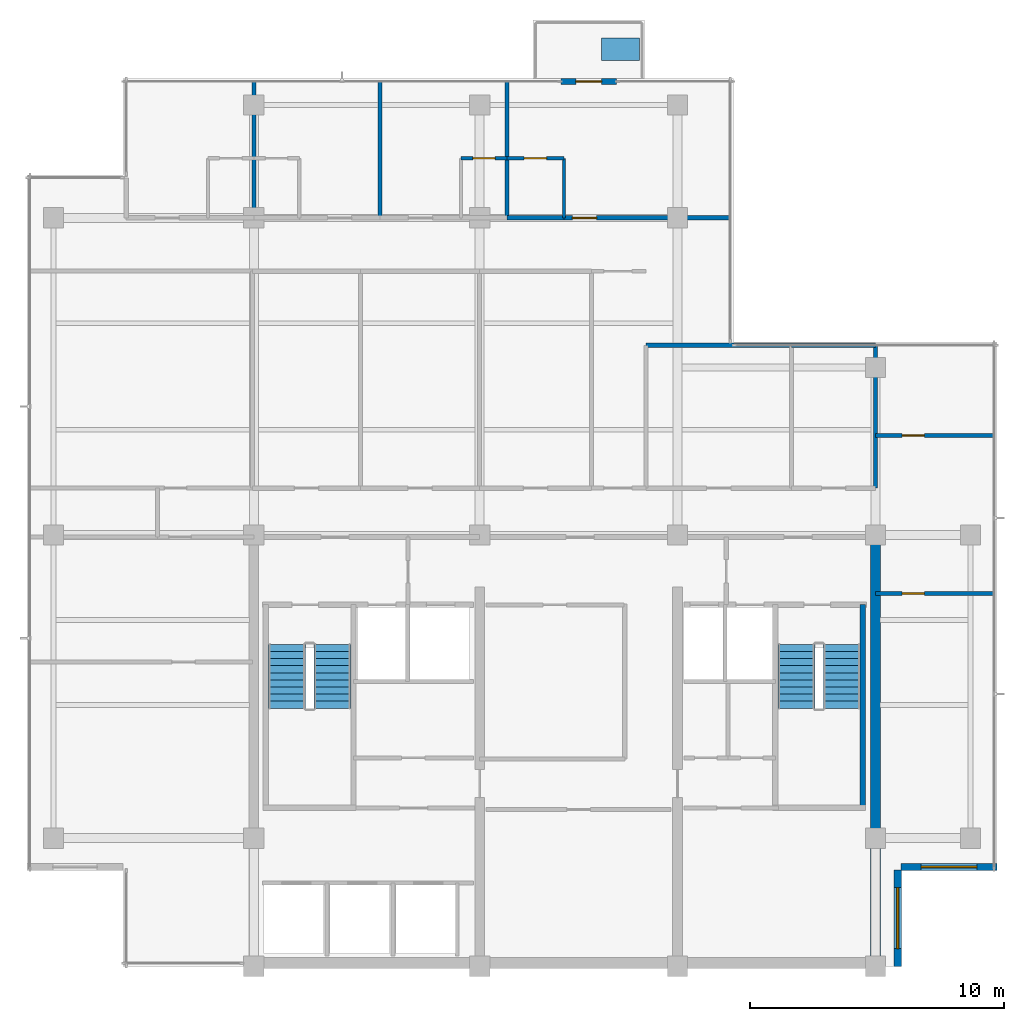
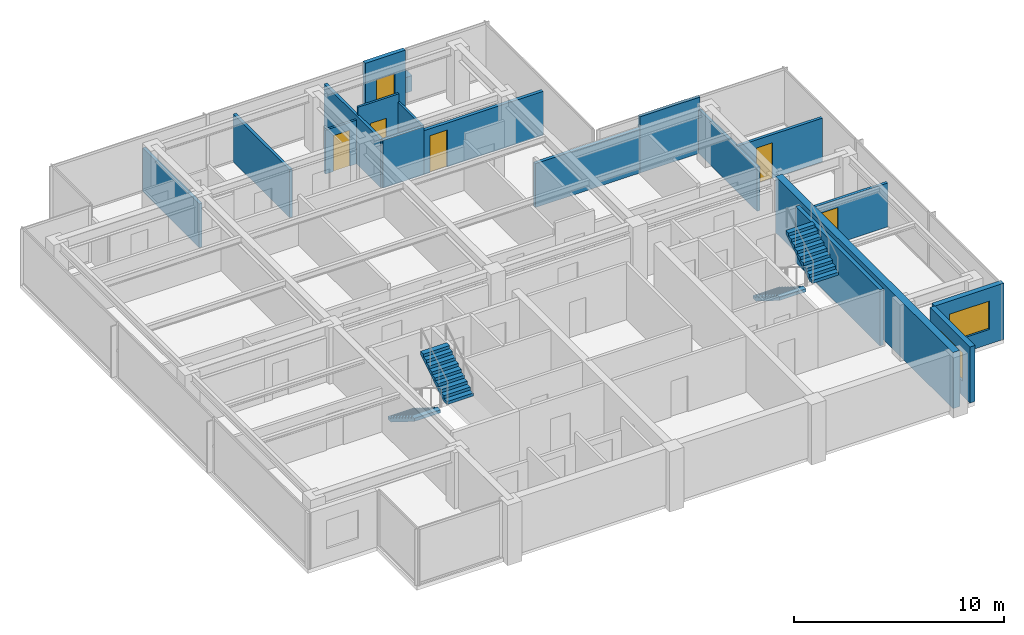
# One storey, part 8 of 11: 18 walls, 6 doors, 4 stair flights, 2 windows, 1 discrete accessory, 8 openings, 2 elements without a shape of their own.
"""IFC4 building model written with IfcOpenShell, lengths in metres."""

from ifc_helpers import new_model, si_unit, direction, frame, frame_2d, origin, place, context, subcontext, project, spatial, polyline, rectangle, outline, extrude, material, layer, layer_set, type_object, element, fill, aggregate, save


model = new_model("IFC4")

# Units and contexts
model_context = context("Model", 3, precision=1e-05, world=origin(), true_north=direction((0.0, 1.0)))
body_context = subcontext(model_context, "Body", "Model", "MODEL_VIEW")
ifc_project = project(units=[si_unit("LENGTHUNIT", "METRE"), si_unit("AREAUNIT", "SQUARE_METRE"), si_unit("VOLUMEUNIT", "CUBIC_METRE"), si_unit("PLANEANGLEUNIT", "RADIAN"), si_unit("MASSUNIT", "GRAM", prefix="KILO")], contexts=[model_context])

# Site, building, storey
site_placement = place(None, origin())
site = spatial("IfcSite", under=ifc_project, at=site_placement, CompositionType="ELEMENT")
building_placement = place(site_placement, origin())
building = spatial("IfcBuilding", under=site, at=building_placement, Name="Qalmaran Belvedere Hotel", CompositionType="ELEMENT")
storey_placement = place(building_placement, frame((0.0, 0.0, 259.89990234375)))
storey = spatial("IfcBuildingStorey", under=building, at=storey_placement, Name="L67", CompositionType="ELEMENT", Elevation=259.89990234375)

# Wall, opening, door
ifc_material_1 = material(Name="Anodised Bronze Cladding")
ifc_layer_1 = layer(ifc_material_1, 0.22509765625, Name="Anodised Bronze Cladding")
ifc_layer_set_1 = layer_set([ifc_layer_1], Name="Anodised Bronze Cladding")
wall_type_1 = type_object("IfcWallType", Name="WL-BAL-PORT-225", PredefinedType="SOLIDWALL", material=ifc_layer_set_1)
wall_1_placement = place(storey_placement, frame((32.39990234375, 38.3798828125, 0.0), z_axis=(0.0, 0.0, 1.0), x_axis=(1.0, 0.0, 0.0)))
wall_1 = element("IfcWall", 1, at=wall_1_placement, inside=storey, type_object=wall_type_1, Name="L67 Tree Balcony Door Portal", PredefinedType="SOLIDWALL", context=body_context, shape_type="SweptSolid", body=[
    extrude(rectangle(XDim=2.2001953125, YDim=0.22509765625, at=frame_2d((1.10009765625, 0.0))), origin(), (0.0, 0.0, 1.0), 3.260009765625),
])
opening_1_placement = place(wall_1_placement, frame((0.590087890625, 0.0, 0.0)))
opening_1 = element("IfcOpeningElement", 2, at=opening_1_placement, cuts=wall_1, Name="Opening BL-102", PredefinedType="OPENING", context=body_context, shape_type="SweptSolid", body=[
    extrude(rectangle(XDim=1.02001953125, YDim=2.10009765625, at=frame_2d((0.510009765625, 1.050048828125))), frame((0.0, 0.12255859375, 0.0), z_axis=(0.0, -1.0, 0.0), x_axis=(1.0, 0.0, 0.0)), (0.0, 0.0, 1.0), 0.2451171875),
])
ifc_material_2 = material(Name="Anodised Bronze Aluminium", Category="aluminium")
door_type_1 = type_object("IfcDoorType", Name="DR-BAL-1020X2100", OperationType="NOTDEFINED", PredefinedType="DOOR", material=ifc_material_2)
door_1_placement = place(opening_1_placement, origin())
door_1 = element("IfcDoor", 3, at=door_1_placement, inside=storey, type_object=door_type_1, Name="L67 Planted Tree Balcony Door", OperationType="SINGLE_SWING_RIGHT", OverallHeight=2.10009765625, OverallWidth=1.02001953125, PredefinedType="DOOR", context=body_context, shape_type="SweptSolid", body=[
    extrude(rectangle(XDim=1.02001953125, YDim=2.10009765625, at=frame_2d((0.510009765625, 1.050048828125))), frame((0.0, 0.02490234375, 0.0), z_axis=(0.0, -1.0, 0.0), x_axis=(1.0, 0.0, 0.0)), (0.0, 0.0, 1.0), 0.050048828125),
])
fill(opening_1, door_1)

# Wall
ifc_material_3 = material(Name="Concrete C50/60", Category="concrete")
ifc_layer_2 = layer(ifc_material_3, 0.3798828125, Name="Concrete C50/60")
ifc_layer_set_2 = layer_set([ifc_layer_2], Name="Concrete C50/60")
wall_type_2 = type_object("IfcWallType", Name="WL-CORE-380-C50", PredefinedType="SHEAR", material=ifc_layer_set_2)
wall_2_placement = place(storey_placement, frame((44.800048828125, 3.5, 0.0), z_axis=(0.0, 0.0, 1.0), x_axis=(0.0, 1.0, 0.0)))
element("IfcWall", 4, at=wall_2_placement, inside=storey, type_object=wall_type_2, Name="L67 East Core Shear Wall", PredefinedType="SHEAR", context=body_context, shape_type="SweptSolid", body=[
    extrude(rectangle(XDim=16.89990234375, YDim=0.3798828125, at=frame_2d((8.449951171875, 0.0))), origin(), (0.0, 0.0, 1.0), 3.260009765625),
])

# Wall, opening, window
ifc_layer_3 = layer(ifc_material_1, 0.280029296875, Name="Anodised Bronze Cladding")
ifc_layer_set_3 = layer_set([ifc_layer_3], Name="Anodised Bronze Cladding")
wall_type_3 = type_object("IfcWallType", Name="WL-EXT-BRNZ-280", PredefinedType="SOLIDWALL", material=ifc_layer_set_3)
wall_3_placement = place(storey_placement, frame((45.679931640625, 3.5, 0.0), z_axis=(0.0, 0.0, 1.0), x_axis=(0.0, 1.0, 0.0)))
wall_3 = element("IfcWall", 5, at=wall_3_placement, inside=storey, type_object=wall_type_3, Name="L67 Corner Notch Wall 1", PredefinedType="SOLIDWALL", context=body_context, shape_type="SweptSolid", body=[
    extrude(rectangle(XDim=3.800048828125, YDim=0.280029296875, at=frame_2d((1.89990234375, 0.0))), origin(), (0.0, 0.0, 1.0), 3.260009765625),
])
opening_2_placement = place(wall_3_placement, frame((0.699951171875, 0.0, 0.85009765625)))
opening_2 = element("IfcOpeningElement", 6, at=opening_2_placement, cuts=wall_3, Name="Opening W-N24", PredefinedType="OPENING", context=body_context, shape_type="SweptSolid", body=[
    extrude(rectangle(XDim=2.39990234375, YDim=1.64990234375, at=frame_2d((1.199951171875, 0.824951171875))), frame((0.0, 0.14990234375, 0.0), z_axis=(0.0, -1.0, 0.0), x_axis=(1.0, 0.0, 0.0)), (0.0, 0.0, 1.0), 0.300048828125),
])
ifc_material_4 = material(Name="Solar-Control Double Glazing", Category="glass")
window_type_1 = type_object("IfcWindowType", Name="WN-NTC-2400X1650", PartitioningType="SINGLE_PANEL", PredefinedType="WINDOW", material=ifc_material_4)
window_1_placement = place(opening_2_placement, origin())
window_1 = element("IfcWindow", 7, at=window_1_placement, inside=storey, type_object=window_type_1, Name="L67 Corner Notch Window 1", OverallHeight=1.64990234375, OverallWidth=2.39990234375, PartitioningType="SINGLE_PANEL", PredefinedType="WINDOW", context=body_context, shape_type="SweptSolid", body=[
    extrude(rectangle(XDim=2.39990234375, YDim=1.64990234375, at=frame_2d((1.199951171875, 0.824951171875))), frame((0.0, 0.030029296875, 0.0), z_axis=(0.0, -1.0, 0.0), x_axis=(1.0, 0.0, 0.0)), (0.0, 0.0, 1.0), 0.06005859375),
])
fill(opening_2, window_1)

wall_4_placement = place(storey_placement, frame((45.800048828125, 7.419921875, 0.0), z_axis=(0.0, 0.0, 1.0), x_axis=(1.0, 0.0, 0.0)))
wall_4 = element("IfcWall", 8, at=wall_4_placement, inside=storey, type_object=wall_type_3, Name="L67 Corner Notch Wall 2", PredefinedType="SOLIDWALL", context=body_context, shape_type="SweptSolid", body=[
    extrude(rectangle(XDim=3.800048828125, YDim=0.280029296875, at=frame_2d((1.89990234375, 0.0))), origin(), (0.0, 0.0, 1.0), 3.260009765625),
])
opening_3_placement = place(wall_4_placement, frame((0.800048828125, 0.0, 0.85009765625)))
opening_3 = element("IfcOpeningElement", 9, at=opening_3_placement, cuts=wall_4, Name="Opening W-N22", PredefinedType="OPENING", context=body_context, shape_type="SweptSolid", body=[
    extrude(rectangle(XDim=2.199951171875, YDim=1.64990234375, at=frame_2d((1.10009765625, 0.824951171875))), frame((0.0, 0.14990234375, 0.0), z_axis=(0.0, -1.0, 0.0), x_axis=(1.0, 0.0, 0.0)), (0.0, 0.0, 1.0), 0.300048828125),
])
window_type_2 = type_object("IfcWindowType", Name="WN-NTC-2200X1650", PartitioningType="SINGLE_PANEL", PredefinedType="WINDOW", material=ifc_material_4)
window_2_placement = place(opening_3_placement, origin())
window_2 = element("IfcWindow", 10, at=window_2_placement, inside=storey, type_object=window_type_2, Name="L67 Corner Notch Window 2", OverallHeight=1.64990234375, OverallWidth=2.199951171875, PartitioningType="SINGLE_PANEL", PredefinedType="WINDOW", context=body_context, shape_type="SweptSolid", body=[
    extrude(rectangle(XDim=2.199951171875, YDim=1.64990234375, at=frame_2d((1.10009765625, 0.824951171875))), frame((0.0, 0.030029296875, 0.0), z_axis=(0.0, -1.0, 0.0), x_axis=(1.0, 0.0, 0.0)), (0.0, 0.0, 1.0), 0.06005859375),
])
fill(opening_3, window_2)

# Wall, opening, door
ifc_material_5 = material(Name="Moisture-Resistant Gypsum")
ifc_layer_4 = layer(ifc_material_5, 0.1201171875, Name="Moisture-Resistant Gypsum")
ifc_layer_set_4 = layer_set([ifc_layer_4], Name="Moisture-Resistant Gypsum")
wall_type_4 = type_object("IfcWallType", Name="WL-INT-120-BATH", PredefinedType="PARTITIONING", material=ifc_layer_set_4)
wall_5_placement = place(storey_placement, frame((28.47021484375, 35.35009765625, 0.0), z_axis=(0.0, 0.0, 1.0), x_axis=(1.0, 0.0, 0.0)))
wall_5 = element("IfcWall", 11, at=wall_5_placement, inside=storey, type_object=wall_type_4, Name="L67 Partition WL-L67-NBN02", PredefinedType="PARTITIONING", context=body_context, shape_type="SweptSolid", body=[
    extrude(rectangle(XDim=1.800048828125, YDim=0.1201171875, at=frame_2d((0.89990234375, 0.0))), origin(), (0.0, 0.0, 1.0), 2.550048828125),
])
opening_4_placement = place(wall_5_placement, frame((1.33984375, 0.0, 0.0), z_axis=(0.0, 0.0, 1.0), x_axis=(-1.0, 0.0, 0.0)))
opening_4 = element("IfcOpeningElement", 12, at=opening_4_placement, cuts=wall_5, Name="Opening D-BATH", PredefinedType="OPENING", context=body_context, shape_type="SweptSolid", body=[
    extrude(rectangle(XDim=0.8798828125, YDim=2.080078125, at=frame_2d((0.43994140625, 1.0400390625))), frame((0.0, 0.070068359375, 0.0), z_axis=(0.0, -1.0, 0.0), x_axis=(1.0, 0.0, 0.0)), (0.0, 0.0, 1.0), 0.14013671875),
])
ifc_material_6 = material(Name="Engineered Oak Veneer")
door_type_2 = type_object("IfcDoorType", Name="DR-INT-BATH-880X2080", OperationType="NOTDEFINED", PredefinedType="DOOR", material=ifc_material_6)
door_2_placement = place(opening_4_placement, origin())
door_2 = element("IfcDoor", 13, at=door_2_placement, inside=storey, type_object=door_type_2, Name="L67 Ensuite Bathroom Door N03", OperationType="SINGLE_SWING_LEFT", OverallHeight=2.080078125, OverallWidth=0.8798828125, PredefinedType="DOOR", context=body_context, shape_type="SweptSolid", body=[
    extrude(rectangle(XDim=0.8798828125, YDim=2.080078125, at=frame_2d((0.43994140625, 1.0400390625))), frame((0.0, 0.02490234375, 0.0), z_axis=(0.0, -1.0, 0.0), x_axis=(1.0, 0.0, 0.0)), (0.0, 0.0, 1.0), 0.050048828125),
])
fill(opening_4, door_2)

wall_6_placement = place(storey_placement, frame((30.270263671875, 35.35009765625, 0.0), z_axis=(0.0, 0.0, 1.0), x_axis=(1.0, 0.0, 0.0)))
wall_6 = element("IfcWall", 14, at=wall_6_placement, inside=storey, type_object=wall_type_4, Name="L67 Partition WL-L67-NBN03", PredefinedType="PARTITIONING", context=body_context, shape_type="SweptSolid", body=[
    extrude(rectangle(XDim=2.25, YDim=0.1201171875, at=frame_2d((1.125, 0.0))), origin(), (0.0, 0.0, 1.0), 3.260009765625),
])
opening_5_placement = place(wall_6_placement, frame((1.56494140625, 0.0, 0.0), z_axis=(0.0, 0.0, 1.0), x_axis=(-1.0, 0.0, 0.0)))
opening_5 = element("IfcOpeningElement", 15, at=opening_5_placement, cuts=wall_6, Name="Opening D-BATH", PredefinedType="OPENING", context=body_context, shape_type="SweptSolid", body=[
    extrude(rectangle(XDim=0.8798828125, YDim=2.080078125, at=frame_2d((0.43994140625, 1.0400390625))), frame((0.0, 0.070068359375, 0.0), z_axis=(0.0, -1.0, 0.0), x_axis=(1.0, 0.0, 0.0)), (0.0, 0.0, 1.0), 0.14013671875),
])
door_3_placement = place(opening_5_placement, origin())
door_3 = element("IfcDoor", 16, at=door_3_placement, inside=storey, type_object=door_type_2, Name="L67 Ensuite Bathroom Door N04", OperationType="SINGLE_SWING_LEFT", OverallHeight=2.080078125, OverallWidth=0.8798828125, PredefinedType="DOOR", context=body_context, shape_type="SweptSolid", body=[
    extrude(rectangle(XDim=0.8798828125, YDim=2.080078125, at=frame_2d((0.43994140625, 1.0400390625))), frame((0.0, 0.02490234375, 0.0), z_axis=(0.0, -1.0, 0.0), x_axis=(1.0, 0.0, 0.0)), (0.0, 0.0, 1.0), 0.050048828125),
])
fill(opening_5, door_3)

# Wall
wall_7_placement = place(storey_placement, frame((32.520263671875, 33.0, 0.0), z_axis=(0.0, 0.0, 1.0), x_axis=(0.0, 1.0, 0.0)))
element("IfcWall", 17, at=wall_7_placement, inside=storey, type_object=wall_type_4, Name="L67 Partition WL-L67-NBS03", PredefinedType="PARTITIONING", context=body_context, shape_type="SweptSolid", body=[
    extrude(rectangle(XDim=2.35009765625, YDim=0.1201171875, at=frame_2d((1.175048828125, 0.0))), origin(), (0.0, 0.0, 1.0), 2.781982421875),
])

# Wall, opening, door
ifc_material_7 = material(Name="Gypsum Stud Partition")
ifc_layer_5 = layer(ifc_material_7, 0.159912109375, Name="Gypsum Stud Partition")
ifc_layer_set_5 = layer_set([ifc_layer_5], Name="Gypsum Stud Partition")
wall_type_5 = type_object("IfcWallType", Name="WL-INT-160-EI60", PredefinedType="PARTITIONING", material=ifc_layer_set_5)
wall_8_placement = place(storey_placement, frame((44.800048828125, 18.199951171875, 0.0), z_axis=(0.0, 0.0, 1.0), x_axis=(1.0, 0.0, 0.0)))
wall_8 = element("IfcWall", 18, at=wall_8_placement, inside=storey, type_object=wall_type_5, Name="L67 Partition WL-L67-C4EES", PredefinedType="PARTITIONING", context=body_context, shape_type="SweptSolid", body=[
    extrude(rectangle(XDim=4.679931640625, YDim=0.159912109375, at=frame_2d((2.33984375, 0.0))), origin(), (0.0, 0.0, 1.0), 2.550048828125),
])
opening_6_placement = place(wall_8_placement, frame((1.929931640625, 0.0, 0.0), z_axis=(0.0, 0.0, 1.0), x_axis=(-1.0, 0.0, 0.0)))
opening_6 = element("IfcOpeningElement", 19, at=opening_6_placement, cuts=wall_8, Name="Opening FD60B", PredefinedType="OPENING", context=body_context, shape_type="SweptSolid", body=[
    extrude(rectangle(XDim=0.8798828125, YDim=2.080078125, at=frame_2d((0.43994140625, 1.0400390625))), frame((0.0, 0.08984375, 0.0), z_axis=(0.0, -1.0, 0.0), x_axis=(1.0, 0.0, 0.0)), (0.0, 0.0, 1.0), 0.179931640625),
])
ifc_material_8 = material(Name="Steel S355JR", Category="steel")
door_type_3 = type_object("IfcDoorType", Name="DR-FD60B-880X2080", OperationType="NOTDEFINED", PredefinedType="DOOR", material=ifc_material_8)
door_4_placement = place(opening_6_placement, origin())
door_4 = element("IfcDoor", 20, at=door_4_placement, inside=storey, type_object=door_type_3, Name="L67 East Reading Door", OperationType="SINGLE_SWING_RIGHT", OverallHeight=2.080078125, OverallWidth=0.8798828125, PredefinedType="DOOR", context=body_context, shape_type="SweptSolid", body=[
    extrude(rectangle(XDim=0.8798828125, YDim=2.080078125, at=frame_2d((0.43994140625, 1.0400390625))), frame((0.0, 0.02490234375, 0.0), z_axis=(0.0, -1.0, 0.0), x_axis=(1.0, 0.0, 0.0)), (0.0, 0.0, 1.0), 0.050048828125),
])
fill(opening_6, door_4)

wall_9_placement = place(storey_placement, frame((44.800048828125, 24.419921875, 0.0), z_axis=(0.0, 0.0, 1.0), x_axis=(1.0, 0.0, 0.0)))
wall_9 = element("IfcWall", 21, at=wall_9_placement, inside=storey, type_object=wall_type_5, Name="L67 Partition WL-L67-C4EEN", PredefinedType="PARTITIONING", context=body_context, shape_type="SweptSolid", body=[
    extrude(rectangle(XDim=4.679931640625, YDim=0.159912109375, at=frame_2d((2.33984375, 0.0))), origin(), (0.0, 0.0, 1.0), 2.550048828125),
])
opening_7_placement = place(wall_9_placement, frame((1.050048828125, 0.0, 0.0)))
opening_7 = element("IfcOpeningElement", 22, at=opening_7_placement, cuts=wall_9, Name="Opening FD60B", PredefinedType="OPENING", context=body_context, shape_type="SweptSolid", body=[
    extrude(rectangle(XDim=0.8798828125, YDim=2.080078125, at=frame_2d((0.43994140625, 1.0400390625))), frame((0.0, 0.08984375, 0.0), z_axis=(0.0, -1.0, 0.0), x_axis=(1.0, 0.0, 0.0)), (0.0, 0.0, 1.0), 0.179931640625),
])
door_5_placement = place(opening_7_placement, origin())
door_5 = element("IfcDoor", 23, at=door_5_placement, inside=storey, type_object=door_type_3, Name="L67 East Study Door", OperationType="SINGLE_SWING_LEFT", OverallHeight=2.080078125, OverallWidth=0.8798828125, PredefinedType="DOOR", context=body_context, shape_type="SweptSolid", body=[
    extrude(rectangle(XDim=0.8798828125, YDim=2.080078125, at=frame_2d((0.43994140625, 1.0400390625))), frame((0.0, 0.02490234375, 0.0), z_axis=(0.0, -1.0, 0.0), x_axis=(1.0, 0.0, 0.0)), (0.0, 0.0, 1.0), 0.050048828125),
])
fill(opening_7, door_5)

# Walls
wall_10_placement = place(storey_placement, frame((44.800048828125, 22.35009765625, 0.0), z_axis=(0.0, 0.0, 1.0), x_axis=(0.0, 1.0, 0.0)))
element("IfcWall", 24, at=wall_10_placement, inside=storey, type_object=wall_type_5, Name="L67 Partition WL-L67-C4MEVR2", PredefinedType="PARTITIONING", context=body_context, shape_type="SweptSolid", body=[
    extrude(rectangle(XDim=5.6298828125, YDim=0.159912109375, at=frame_2d((2.81494140625, 0.0))), origin(), (0.0, 0.0, 1.0), 2.550048828125),
])
wall_11_placement = place(storey_placement, frame((20.300048828125, 33.0, 0.0), z_axis=(0.0, 0.0, 1.0), x_axis=(0.0, 1.0, 0.0)))
element("IfcWall", 25, at=wall_11_placement, inside=storey, type_object=wall_type_5, Name="L67 Partition WL-L67-NUR00", PredefinedType="PARTITIONING", context=body_context, shape_type="SweptSolid", body=[
    extrude(rectangle(XDim=5.3798828125, YDim=0.159912109375, at=frame_2d((2.68994140625, 0.0))), origin(), (0.0, 0.0, 1.0), 2.550048828125),
])
for number, where, z_axis, x_axis, name in (
    (26, (25.270263671875, 33.0, 0.0), (0.0, 0.0, 1.0), (0.0, 1.0, 0.0), "L67 Partition WL-L67-NUR01"),
    (27, (30.270263671875, 33.0, 0.0), (0.0, 0.0, 1.0), (0.0, 1.0, 0.0), "L67 Partition WL-L67-NUR02"),
):
    element("IfcWall", number, at=place(storey_placement, frame(where, z_axis=z_axis, x_axis=x_axis)), inside=storey, type_object=wall_type_5, Name=name, PredefinedType="PARTITIONING", context=body_context, shape_type="SweptSolid", body=[
        extrude(rectangle(XDim=5.3798828125, YDim=0.159912109375, at=frame_2d((2.68994140625, 0.0))), origin(), (0.0, 0.0, 1.0), 2.781982421875),
    ])
ifc_layer_6 = layer(ifc_material_7, 0.179931640625, Name="Gypsum Stud Partition")
ifc_layer_set_6 = layer_set([ifc_layer_6], Name="Gypsum Stud Partition")
wall_type_6 = type_object("IfcWallType", Name="WL-INT-180-EI60", PredefinedType="PARTITIONING", material=ifc_layer_set_6)
wall_12_placement = place(storey_placement, frame((35.75, 27.97998046875, 0.0), z_axis=(0.0, 0.0, 1.0), x_axis=(1.0, 0.0, 0.0)))
element("IfcWall", 28, at=wall_12_placement, inside=storey, type_object=wall_type_6, Name="L67 Partition WL-L67-C4MEO1", PredefinedType="PARTITIONING", context=body_context, shape_type="SweptSolid", body=[
    extrude(rectangle(XDim=5.75, YDim=0.179931640625, at=frame_2d((2.875, 0.0))), origin(), (0.0, 0.0, 1.0), 2.550048828125),
])
wall_13_placement = place(storey_placement, frame((41.5, 27.97998046875, 0.0), z_axis=(0.0, 0.0, 1.0), x_axis=(1.0, 0.0, 0.0)))
element("IfcWall", 29, at=wall_13_placement, inside=storey, type_object=wall_type_6, Name="L67 Partition WL-L67-C4MEO2", PredefinedType="PARTITIONING", context=body_context, shape_type="SweptSolid", body=[
    extrude(rectangle(XDim=3.300048828125, YDim=0.179931640625, at=frame_2d((1.64990234375, 0.0))), origin(), (0.0, 0.0, 1.0), 3.260009765625),
])
wall_14_placement = place(storey_placement, frame((30.270263671875, 33.0, 0.0), z_axis=(0.0, 0.0, 1.0), x_axis=(1.0, 0.0, 0.0)))
element("IfcWall", 30, at=wall_14_placement, inside=storey, type_object=wall_type_6, Name="L67 Partition WL-L67-NBC03", PredefinedType="PARTITIONING", context=body_context, shape_type="SweptSolid", body=[
    extrude(rectangle(XDim=2.25, YDim=0.179931640625, at=frame_2d((1.125, 0.0))), origin(), (0.0, 0.0, 1.0), 2.781982421875),
])

# Wall, opening, door
wall_15_placement = place(storey_placement, frame((32.520263671875, 33.0, 0.0), z_axis=(0.0, 0.0, 1.0), x_axis=(1.0, 0.0, 0.0)))
wall_15 = element("IfcWall", 31, at=wall_15_placement, inside=storey, type_object=wall_type_6, Name="L67 Partition WL-L67-NEC03", PredefinedType="PARTITIONING", context=body_context, shape_type="SweptSolid", body=[
    extrude(rectangle(XDim=6.559814453125, YDim=0.179931640625, at=frame_2d((3.27978515625, 0.0))), origin(), (0.0, 0.0, 1.0), 2.550048828125),
])
opening_8_placement = place(wall_15_placement, frame((0.33740234375, 0.0, 0.0)))
opening_8 = element("IfcOpeningElement", 32, at=opening_8_placement, cuts=wall_15, Name="Opening FD60", PredefinedType="OPENING", context=body_context, shape_type="SweptSolid", body=[
    extrude(rectangle(XDim=0.949951171875, YDim=2.14990234375, at=frame_2d((0.47509765625, 1.074951171875))), frame((0.0, 0.10009765625, 0.0), z_axis=(0.0, -1.0, 0.0), x_axis=(1.0, 0.0, 0.0)), (0.0, 0.0, 1.0), 0.199951171875),
])
door_type_4 = type_object("IfcDoorType", Name="DR-FD60-950X2150", OperationType="NOTDEFINED", PredefinedType="DOOR", material=ifc_material_6)
door_6_placement = place(opening_8_placement, origin())
door_6 = element("IfcDoor", 33, at=door_6_placement, inside=storey, type_object=door_type_4, Name="L67 Guest Entrance Door N04", OperationType="SINGLE_SWING_RIGHT", OverallHeight=2.14990234375, OverallWidth=0.949951171875, PredefinedType="DOOR", context=body_context, shape_type="SweptSolid", body=[
    extrude(rectangle(XDim=0.949951171875, YDim=2.14990234375, at=frame_2d((0.47509765625, 1.074951171875))), frame((0.0, 0.02490234375, 0.0), z_axis=(0.0, -1.0, 0.0), x_axis=(1.0, 0.0, 0.0)), (0.0, 0.0, 1.0), 0.050048828125),
])
fill(opening_8, door_6)

# Wall
ifc_layer_7 = layer(ifc_material_3, 0.2099609375, Name="Concrete C50/60")
ifc_layer_set_7 = layer_set([ifc_layer_7], Name="Concrete C50/60")
wall_type_7 = type_object("IfcWallType", Name="WL-STAIR-210-C50", PredefinedType="SHEAR", material=ifc_layer_set_7)
wall_16_placement = place(storey_placement, frame((44.304931640625, 9.7451171875, 0.0), z_axis=(0.0, 0.0, 1.0), x_axis=(0.0, 1.0, 0.0)))
element("IfcWall", 34, at=wall_16_placement, inside=storey, type_object=wall_type_7, Name="L67 Stair ST-2 East Bearing Wall", PredefinedType="SHEAR", context=body_context, shape_type="SweptSolid", body=[
    extrude(rectangle(XDim=8.009765625, YDim=0.2099609375, at=frame_2d((4.0048828125, 0.0))), origin(), (0.0, 0.0, 1.0), 3.260009765625),
])

# Stair, stair flights
ifc_material_9 = material(Name="Concrete C40/50", Category="concrete")
stair_type_1 = type_object("IfcStairType", Name="STR-ST-1-1450-R1750", PredefinedType="HALF_TURN_STAIR", material=ifc_material_9)
stair_1_placement = place(storey_placement, origin())
stair_1 = element("IfcStair", 35, at=stair_1_placement, inside=storey, type_object=stair_type_1, Name="L67 West Core Exit Stair ST-1", PredefinedType="HALF_TURN_STAIR")
ifc_layer_8 = layer(ifc_material_9, 0.14990234375, Name="Concrete C40/50")
ifc_layer_set_8 = layer_set([ifc_layer_8], Name="Concrete C40/50")
stair_flight_type_1 = type_object("IfcStairFlightType", Name="STF-ST-1-1450-R1750", PredefinedType="STRAIGHT", material=ifc_layer_set_8)
stair_flight_1_placement = place(storey_placement, frame((21.60498046875, 16.18994140625, 0.0), z_axis=(0.0, 0.0, 1.0), x_axis=(0.0, -1.0, 0.0)))
stair_flight_1 = element("IfcStairFlight", 36, at=stair_flight_1_placement, type_object=stair_flight_type_1, Name="ST-1 flight 1", NumberOfRisers=10, NumberOfTreads=9, PredefinedType="STRAIGHT", RiserHeight=0.175, TreadLength=0.28, context=body_context, shape_type="SweptSolid", body=[
    extrude(outline(polyline([(0.0, 0.0), (0.0, 0.175048828125), (0.280029296875, 0.175048828125), (0.280029296875, 0.35009765625), (0.56005859375, 0.35009765625), (0.56005859375, 0.52490234375), (0.840087890625, 0.52490234375), (0.840087890625, 0.699951171875), (1.1201171875, 0.699951171875), (1.1201171875, 0.875), (1.39990234375, 0.875), (1.39990234375, 1.050048828125), (1.679931640625, 1.050048828125), (1.679931640625, 1.22509765625), (1.9599609375, 1.22509765625), (1.9599609375, 1.39990234375), (2.239990234375, 1.39990234375), (2.239990234375, 1.574951171875), (2.52001953125, 1.574951171875), (2.52001953125, 1.75), (2.52001953125, 1.398193359375), (0.28271484375, 0.0), (0.0, 0.0)])), frame((0.0, 0.72509765625, 0.0), z_axis=(0.0, -1.0, 0.0), x_axis=(1.0, 0.0, 0.0)), (0.0, 0.0, 1.0), 1.449951171875),
])
stair_flight_2_placement = place(storey_placement, frame((23.39501953125, 13.669921875, 1.75), z_axis=(0.0, 0.0, 1.0), x_axis=(0.0, 1.0, 0.0)))
stair_flight_2 = element("IfcStairFlight", 37, at=stair_flight_2_placement, type_object=stair_flight_type_1, Name="ST-1 flight 2", NumberOfRisers=10, NumberOfTreads=9, PredefinedType="STRAIGHT", RiserHeight=0.175, TreadLength=0.28, context=body_context, shape_type="SweptSolid", body=[
    extrude(outline(polyline([(0.0, 0.0), (0.0, 0.175048828125), (0.280029296875, 0.175048828125), (0.280029296875, 0.35009765625), (0.56005859375, 0.35009765625), (0.56005859375, 0.52490234375), (0.840087890625, 0.52490234375), (0.840087890625, 0.699951171875), (1.1201171875, 0.699951171875), (1.1201171875, 0.875), (1.39990234375, 0.875), (1.39990234375, 1.050048828125), (1.679931640625, 1.050048828125), (1.679931640625, 1.22509765625), (1.9599609375, 1.22509765625), (1.9599609375, 1.39990234375), (2.239990234375, 1.39990234375), (2.239990234375, 1.574951171875), (2.52001953125, 1.574951171875), (2.52001953125, 1.75), (2.52001953125, 1.398193359375), (0.28271484375, 0.0), (0.0, 0.0)])), frame((0.0, 0.72509765625, 0.0), z_axis=(0.0, -1.0, 0.0), x_axis=(1.0, 0.0, 0.0)), (0.0, 0.0, 1.0), 1.449951171875),
])
aggregate(stair_1, [stair_flight_1, stair_flight_2])

stair_type_2 = type_object("IfcStairType", Name="STR-ST-2-1450-R1750", PredefinedType="HALF_TURN_STAIR", material=ifc_material_9)
stair_2_placement = place(storey_placement, origin())
stair_2 = element("IfcStair", 38, at=stair_2_placement, inside=storey, type_object=stair_type_2, Name="L67 East Core Exit Stair ST-2", PredefinedType="HALF_TURN_STAIR")
ifc_layer_9 = layer(ifc_material_9, 0.14990234375, Name="Concrete C40/50")
ifc_layer_set_9 = layer_set([ifc_layer_9], Name="Concrete C40/50")
stair_flight_type_2 = type_object("IfcStairFlightType", Name="STF-ST-2-1450-R1750", PredefinedType="STRAIGHT", material=ifc_layer_set_9)
stair_flight_3_placement = place(storey_placement, frame((41.68505859375, 16.18994140625, 0.0), z_axis=(0.0, 0.0, 1.0), x_axis=(0.0, -1.0, 0.0)))
stair_flight_3 = element("IfcStairFlight", 39, at=stair_flight_3_placement, type_object=stair_flight_type_2, Name="ST-2 flight 1", NumberOfRisers=10, NumberOfTreads=9, PredefinedType="STRAIGHT", RiserHeight=0.175, TreadLength=0.28, context=body_context, shape_type="SweptSolid", body=[
    extrude(outline(polyline([(0.0, 0.0), (0.0, 0.175048828125), (0.280029296875, 0.175048828125), (0.280029296875, 0.35009765625), (0.56005859375, 0.35009765625), (0.56005859375, 0.52490234375), (0.840087890625, 0.52490234375), (0.840087890625, 0.699951171875), (1.1201171875, 0.699951171875), (1.1201171875, 0.875), (1.39990234375, 0.875), (1.39990234375, 1.050048828125), (1.679931640625, 1.050048828125), (1.679931640625, 1.22509765625), (1.9599609375, 1.22509765625), (1.9599609375, 1.39990234375), (2.239990234375, 1.39990234375), (2.239990234375, 1.574951171875), (2.52001953125, 1.574951171875), (2.52001953125, 1.75), (2.52001953125, 1.398193359375), (0.28271484375, 0.0), (0.0, 0.0)])), frame((0.0, 0.72509765625, 0.0), z_axis=(0.0, -1.0, 0.0), x_axis=(1.0, 0.0, 0.0)), (0.0, 0.0, 1.0), 1.449951171875),
])
stair_flight_4_placement = place(storey_placement, frame((43.47509765625, 13.669921875, 1.75), z_axis=(0.0, 0.0, 1.0), x_axis=(0.0, 1.0, 0.0)))
stair_flight_4 = element("IfcStairFlight", 40, at=stair_flight_4_placement, type_object=stair_flight_type_2, Name="ST-2 flight 2", NumberOfRisers=10, NumberOfTreads=9, PredefinedType="STRAIGHT", RiserHeight=0.175, TreadLength=0.28, context=body_context, shape_type="SweptSolid", body=[
    extrude(outline(polyline([(0.0, 0.0), (0.0, 0.175048828125), (0.280029296875, 0.175048828125), (0.280029296875, 0.35009765625), (0.56005859375, 0.35009765625), (0.56005859375, 0.52490234375), (0.840087890625, 0.52490234375), (0.840087890625, 0.699951171875), (1.1201171875, 0.699951171875), (1.1201171875, 0.875), (1.39990234375, 0.875), (1.39990234375, 1.050048828125), (1.679931640625, 1.050048828125), (1.679931640625, 1.22509765625), (1.9599609375, 1.22509765625), (1.9599609375, 1.39990234375), (2.239990234375, 1.39990234375), (2.239990234375, 1.574951171875), (2.52001953125, 1.574951171875), (2.52001953125, 1.75), (2.52001953125, 1.398193359375), (0.28271484375, 0.0), (0.0, 0.0)])), frame((0.0, 0.72509765625, 0.0), z_axis=(0.0, -1.0, 0.0), x_axis=(1.0, 0.0, 0.0)), (0.0, 0.0, 1.0), 1.449951171875),
])
aggregate(stair_2, [stair_flight_3, stair_flight_4])

# Discrete accessory
discrete_accessory_type = type_object("IfcDiscreteAccessoryType", Name="PLN-BAL-1500", PredefinedType="USERDEFINED", material=ifc_material_9)
discrete_accessory_placement = place(storey_placement, origin())
element("IfcDiscreteAccessory", 41, at=discrete_accessory_placement, inside=storey, type_object=discrete_accessory_type, Name="L67 Sky Tree Planter", ObjectType="PLANTER", PredefinedType="USERDEFINED", context=body_context, shape_type="SweptSolid", body=[
    extrude(outline(polyline([(34.0, 39.199951171875), (35.5, 39.199951171875), (35.5, 40.10009765625), (34.0, 40.10009765625), (34.0, 39.199951171875)])), origin(), (0.0, 0.0, 1.0), 0.900146484375),
])

save(model, "model.ifc")
